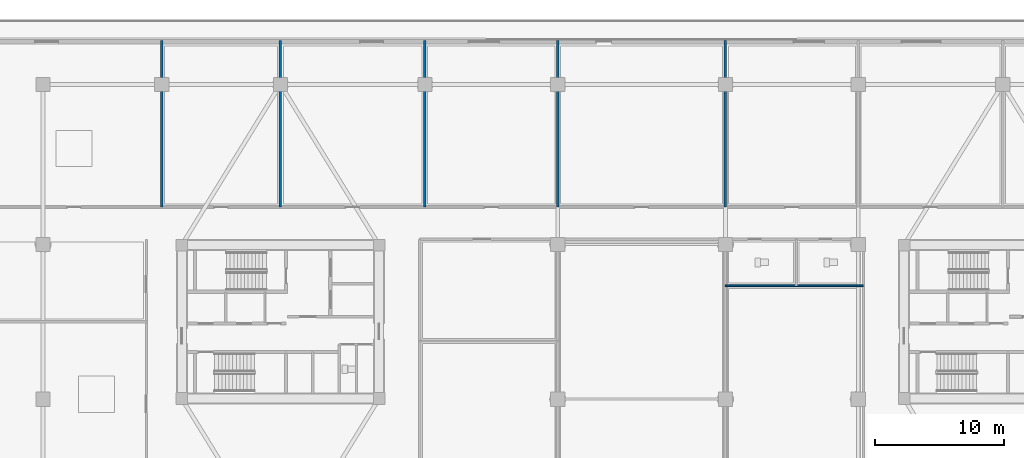
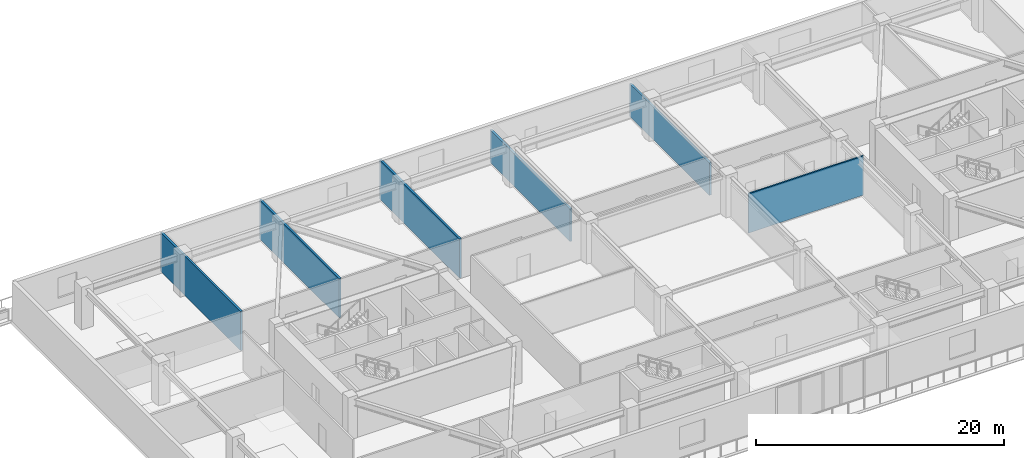
# One storey, part 9 of 23: 6 walls.
"""IFC4 building model written with IfcOpenShell, lengths in metres."""

from ifc_helpers import new_model, si_unit, direction, frame, frame_2d, origin, place, context, subcontext, project, spatial, rectangle, extrude, source, transform, mapped, material, layer, layer_set, type_object, type_shapes, element, save


model = new_model("IFC4")

# Units and contexts
model_context = context("Model", 3, precision=1e-05, world=origin(), true_north=direction((0.0, 1.0)))
body_context = subcontext(model_context, "Body", "Model", "MODEL_VIEW")
ifc_project = project(units=[si_unit("LENGTHUNIT", "METRE"), si_unit("AREAUNIT", "SQUARE_METRE"), si_unit("VOLUMEUNIT", "CUBIC_METRE"), si_unit("PLANEANGLEUNIT", "RADIAN"), si_unit("MASSUNIT", "GRAM", prefix="KILO")], contexts=[model_context])

# Site, building, storey
site_placement = place(None, origin())
site = spatial("IfcSite", under=ifc_project, at=site_placement, CompositionType="ELEMENT")
building_placement = place(site_placement, origin())
building = spatial("IfcBuilding", under=site, at=building_placement, Name="Norrkilde Senior Care Towers", CompositionType="ELEMENT")
storey_placement = place(building_placement, frame((0.0, 0.0, 8.39990234375)))
storey = spatial("IfcBuildingStorey", under=building, at=storey_placement, Name="L02", CompositionType="ELEMENT", Elevation=8.39990234375)

# Walls
ifc_material = material(Name="Gypsum Acoustic Board")
ifc_layer_1 = layer(ifc_material, 0.139892578125)
ifc_layer_set_1 = layer_set([ifc_layer_1], Name="Gypsum Acoustic Board")
wall_type_1 = type_object("IfcWallType", Name="En-suite Wet Room Wall 140", PredefinedType="PARTITIONING", material=ifc_layer_set_1)
shared_shape_1 = source(origin(), body_context, "Body", "SweptSolid", [
    extrude(rectangle(XDim=10.699951171875, YDim=0.139892578125, at=frame_2d((5.35009765625, 0.0))), origin(), (0.0, 0.0, 1.0), 3.864990234375),
])
type_shapes(wall_type_1, [shared_shape_1])
wall_placement = place(storey_placement, frame((6.5, 2.800048828125, 0.0), z_axis=(0.0, 0.0, 1.0), x_axis=(1.0, 0.0, 0.0)))
element("IfcWall", 1, at=wall_placement, inside=storey, type_object=wall_type_1, Name="WL-INT-L02-POD-WC1", PredefinedType="PARTITIONING", context=body_context, shape_type="MappedRepresentation", body=[
    mapped(shared_shape_1, transform((0.0, 0.0, 0.0), x_axis=(1.0, 0.0, 0.0), y_axis=(0.0, 1.0, 0.0), z_axis=(0.0, 0.0, 1.0), scale=1.0)),
])
ifc_layer_2 = layer(ifc_material, 0.18994140625)
ifc_layer_set_2 = layer_set([ifc_layer_2], Name="Gypsum Acoustic Board")
wall_type_2 = type_object("IfcWallType", Name="Unit Demising Acoustic Wall 190", PredefinedType="PARTITIONING", material=ifc_layer_set_2)
shared_shape_2 = source(origin(), body_context, "Body", "SweptSolid", [
    extrude(rectangle(XDim=12.900146484375, YDim=0.18994140625, at=frame_2d((6.4501953125, 0.0))), origin(), (0.0, 0.0, 1.0), 3.864990234375),
])
for number, where, z_axis, x_axis, name in (
    (2, (-37.199951171875, 8.89990234375, 0.0), (0.0, 0.0, 1.0), (0.0, 1.0, 0.0), "WL-INT-L02-POD-NPV1"),
    (3, (-28.0, 8.89990234375, 0.0), (0.0, 0.0, 1.0), (0.0, 1.0, 0.0), "WL-INT-L02-POD-NPV2"),
    (4, (-16.800048828125, 8.89990234375, 0.0), (0.0, 0.0, 1.0), (0.0, 1.0, 0.0), "WL-INT-L02-POD-NPV3"),
):
    element("IfcWall", number, at=place(storey_placement, frame(where, z_axis=z_axis, x_axis=x_axis)), inside=storey, type_object=wall_type_2, Name=name, PredefinedType="PARTITIONING", context=body_context, shape_type="MappedRepresentation", body=[
        mapped(shared_shape_2, transform((0.0, 0.0, 0.0), x_axis=(1.0, 0.0, 0.0), y_axis=(0.0, 1.0, 0.0), z_axis=(0.0, 0.0, 1.0), scale=1.0)),
    ])
shared_shape_3 = source(origin(), body_context, "Body", "SweptSolid", [
    extrude(rectangle(XDim=12.900146484375, YDim=0.18994140625, at=frame_2d((6.4501953125, 0.0))), origin(), (0.0, 0.0, 1.0), 3.215087890625),
])
type_shapes(wall_type_2, [shared_shape_2, shared_shape_3])
for number, where, z_axis, x_axis, name in (
    (5, (-6.5, 8.89990234375, 0.0), (0.0, 0.0, 1.0), (0.0, 1.0, 0.0), "WL-INT-L02-POD-NPV4"),
    (6, (6.5, 8.89990234375, 0.0), (0.0, 0.0, 1.0), (0.0, 1.0, 0.0), "WL-INT-L02-POD-NPV5"),
):
    element("IfcWall", number, at=place(storey_placement, frame(where, z_axis=z_axis, x_axis=x_axis)), inside=storey, type_object=wall_type_2, Name=name, PredefinedType="PARTITIONING", context=body_context, shape_type="MappedRepresentation", body=[
        mapped(shared_shape_3, transform((0.0, 0.0, 0.0), x_axis=(1.0, 0.0, 0.0), y_axis=(0.0, 1.0, 0.0), z_axis=(0.0, 0.0, 1.0), scale=1.0)),
    ])

save(model, "model.ifc")
